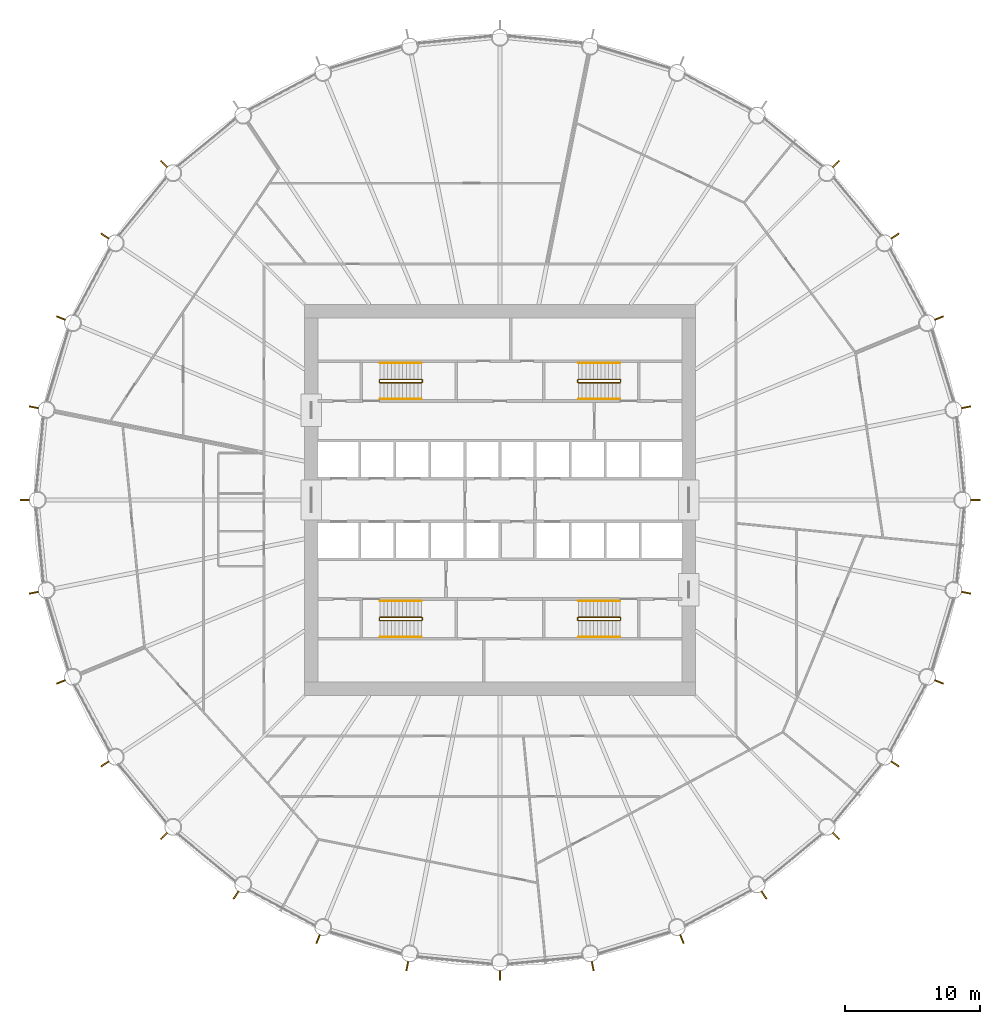
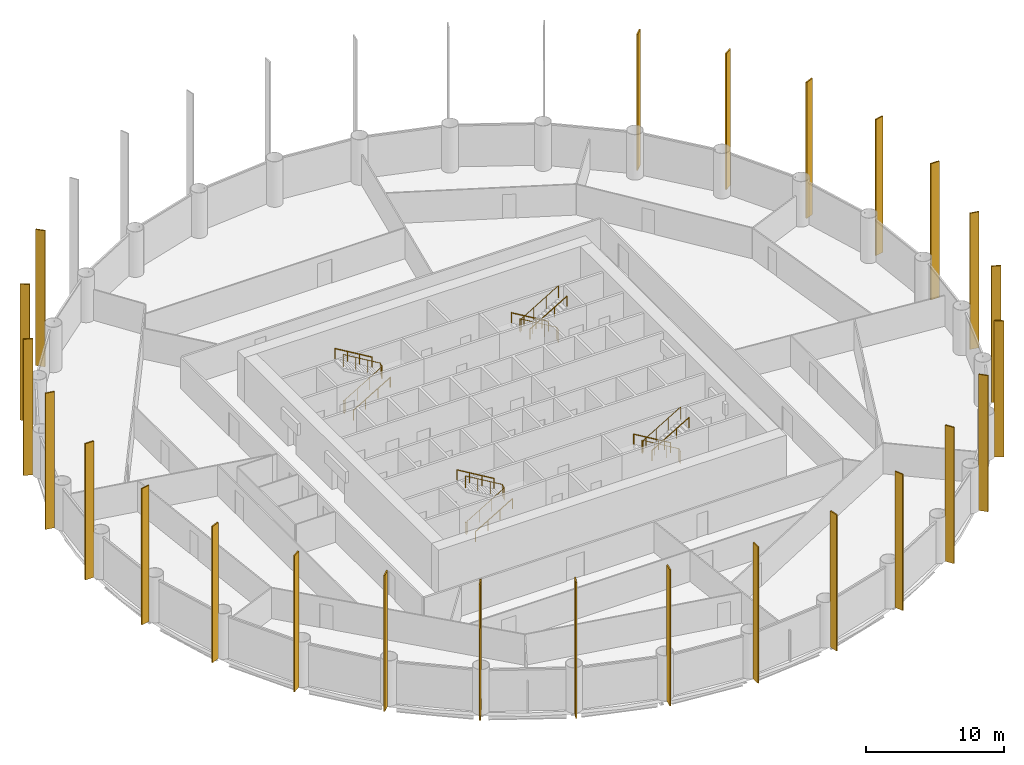
# One storey, part 9 of 10: 25 shading devices, 12 railings.
"""IFC4 building model written with IfcOpenShell, lengths in metres."""

from ifc_helpers import new_model, si_unit, direction, frame, origin, origin_2d, place, context, subcontext, project, spatial, rectangle, circle, extrude, material, material_profile, profile_set, type_object, element, save


model = new_model("IFC4")

# Units and contexts
model_context = context("Model", 3, precision=1e-05, world=origin(), true_north=direction((0.0, 1.0)))
body_context = subcontext(model_context, "Body", "Model", "MODEL_VIEW")
ifc_project = project(units=[si_unit("LENGTHUNIT", "METRE"), si_unit("AREAUNIT", "SQUARE_METRE"), si_unit("VOLUMEUNIT", "CUBIC_METRE"), si_unit("PLANEANGLEUNIT", "RADIAN"), si_unit("MASSUNIT", "GRAM", prefix="KILO")], contexts=[model_context])

# Site, building, storey
site_placement = place(None, origin())
site = spatial("IfcSite", under=ifc_project, at=site_placement, CompositionType="ELEMENT")
building_placement = place(site_placement, origin())
building = spatial("IfcBuilding", under=site, at=building_placement, Name="Corvane Civic Tower", CompositionType="ELEMENT")
storey_placement = place(building_placement, frame((0.0, 0.0, 106.5)))
storey = spatial("IfcBuildingStorey", under=building, at=storey_placement, Name="L24", CompositionType="ELEMENT", Elevation=106.5)

# Railings
ifc_material_1 = material(Name="Steel ASTM A572 Gr 50", Category="steel")
railing_type_1 = type_object("IfcRailingType", Name="ST-GUARD-1100", PredefinedType="GUARDRAIL", material=ifc_material_1)
railing_1_placement = place(storey_placement, frame((8.949951171875, 8.75, 0.0)))
element("IfcRailing", 1, at=railing_1_placement, inside=storey, type_object=railing_type_1, Name="L24 ST1 stair guard 1", PredefinedType="GUARDRAIL", context=body_context, shape_type="SweptSolid", body=[
    extrude(circle(Radius=0.02392578125, at=origin_2d()), frame((0.0, 0.0, 1.076171875), z_axis=(0.0, 1.0, 0.0), x_axis=(-1.0, 0.0, 0.0)), (0.0, 0.0, 1.0), 0.14990234375),
    extrude(circle(Radius=0.02392578125, at=origin_2d()), frame((0.0, 0.14990234375, 1.076171875), z_axis=(-0.27628659633, 0.27628659633, 0.920506074601), x_axis=(-0.707106781187, -0.707106781187, 0.0)), (0.0, 0.0, 1.0), 0.18115234375),
    extrude(circle(Radius=0.02392578125, at=origin_2d()), frame((-0.050048828125, 0.199951171875, 1.24267578125), z_axis=(-0.859290745958, 0.0, 0.51148745235), x_axis=(0.0, -1.0, 0.0)), (0.0, 0.0, 1.0), 3.584228515625),
    extrude(circle(Radius=0.02392578125, at=origin_2d()), frame((-3.1298828125, 0.199951171875, 3.076171875), z_axis=(-0.707106781187, -0.707106781187, 0.0), x_axis=(0.707106781187, -0.707106781187, 0.0)), (0.0, 0.0, 1.0), 0.07080078125),
    extrude(circle(Radius=0.02392578125, at=origin_2d()), frame((-3.179931640625, 0.14990234375, 3.076171875), z_axis=(0.0, -1.0, 0.0), x_axis=(1.0, 0.0, 0.0)), (0.0, 0.0, 1.0), 0.14990234375),
    extrude(circle(Radius=0.02392578125, at=origin_2d()), frame((-3.179931640625, 0.0, 3.076171875), z_axis=(0.27628659633, -0.27628659633, 0.920506074601), x_axis=(0.707106781187, 0.707106781187, 0.0)), (0.0, 0.0, 1.0), 0.18115234375),
    extrude(circle(Radius=0.02392578125, at=origin_2d()), frame((-3.1298828125, -0.050048828125, 3.24267578125), z_axis=(0.859290745958, 0.0, 0.51148745235), x_axis=(0.0, 1.0, 0.0)), (0.0, 0.0, 1.0), 3.584228515625),
    extrude(circle(Radius=0.02099609375, at=origin_2d()), origin(), (0.0, 0.0, 1.0), 1.052001953125),
    extrude(circle(Radius=0.02099609375, at=origin_2d()), frame((0.0, 0.14990234375, 0.0)), (0.0, 0.0, 1.0), 1.052001953125),
    extrude(circle(Radius=0.02099609375, at=origin_2d()), frame((-0.050048828125, 0.199951171875, 0.166748046875)), (0.0, 0.0, 1.0), 1.052001953125),
    extrude(circle(Radius=0.02099609375, at=origin_2d()), frame((-1.07666015625, 0.199951171875, 0.77783203125)), (0.0, 0.0, 1.0), 1.052001953125),
    extrude(circle(Radius=0.02099609375, at=origin_2d()), frame((-2.103271484375, 0.199951171875, 1.388916015625)), (0.0, 0.0, 1.0), 1.052001953125),
    extrude(circle(Radius=0.02099609375, at=origin_2d()), frame((-3.1298828125, 0.199951171875, 2.0)), (0.0, 0.0, 1.0), 1.052001953125),
    extrude(circle(Radius=0.02099609375, at=origin_2d()), frame((-3.179931640625, 0.14990234375, 2.0)), (0.0, 0.0, 1.0), 1.052001953125),
    extrude(circle(Radius=0.02099609375, at=origin_2d()), frame((-3.179931640625, 0.0, 2.0)), (0.0, 0.0, 1.0), 1.052001953125),
    extrude(circle(Radius=0.02099609375, at=origin_2d()), frame((-3.1298828125, -0.050048828125, 2.166748046875)), (0.0, 0.0, 1.0), 1.052001953125),
    extrude(circle(Radius=0.02099609375, at=origin_2d()), frame((-2.103271484375, -0.050048828125, 2.77783203125)), (0.0, 0.0, 1.0), 1.052001953125),
    extrude(circle(Radius=0.02099609375, at=origin_2d()), frame((-1.07666015625, -0.050048828125, 3.388916015625)), (0.0, 0.0, 1.0), 1.052001953125),
    extrude(circle(Radius=0.02099609375, at=origin_2d()), frame((-0.050048828125, -0.050048828125, 4.0)), (0.0, 0.0, 1.0), 1.052001953125),
])
railing_2_placement = place(storey_placement, frame((8.949951171875, -8.89990234375, 0.0)))
element("IfcRailing", 2, at=railing_2_placement, inside=storey, type_object=railing_type_1, Name="L24 ST2 stair guard 1", PredefinedType="GUARDRAIL", context=body_context, shape_type="SweptSolid", body=[
    extrude(circle(Radius=0.02392578125, at=origin_2d()), frame((0.0, 0.0, 1.076171875), z_axis=(0.0, 1.0, 0.0), x_axis=(-1.0, 0.0, 0.0)), (0.0, 0.0, 1.0), 0.14990234375),
    extrude(circle(Radius=0.02392578125, at=origin_2d()), frame((0.0, 0.14990234375, 1.076171875), z_axis=(-0.27628659633, 0.27628659633, 0.920506074601), x_axis=(-0.707106781187, -0.707106781187, 0.0)), (0.0, 0.0, 1.0), 0.18115234375),
    extrude(circle(Radius=0.02392578125, at=origin_2d()), frame((-0.050048828125, 0.199951171875, 1.24267578125), z_axis=(-0.859290745958, 0.0, 0.51148745235), x_axis=(0.0, -1.0, 0.0)), (0.0, 0.0, 1.0), 3.584228515625),
    extrude(circle(Radius=0.02392578125, at=origin_2d()), frame((-3.1298828125, 0.199951171875, 3.076171875), z_axis=(-0.707106781187, -0.707106781187, 0.0), x_axis=(0.707106781187, -0.707106781187, 0.0)), (0.0, 0.0, 1.0), 0.07080078125),
    extrude(circle(Radius=0.02392578125, at=origin_2d()), frame((-3.179931640625, 0.14990234375, 3.076171875), z_axis=(0.0, -1.0, 0.0), x_axis=(1.0, 0.0, 0.0)), (0.0, 0.0, 1.0), 0.14990234375),
    extrude(circle(Radius=0.02392578125, at=origin_2d()), frame((-3.179931640625, 0.0, 3.076171875), z_axis=(0.27628659633, -0.27628659633, 0.920506074601), x_axis=(0.707106781187, 0.707106781187, 0.0)), (0.0, 0.0, 1.0), 0.18115234375),
    extrude(circle(Radius=0.02392578125, at=origin_2d()), frame((-3.1298828125, -0.050048828125, 3.24267578125), z_axis=(0.859290745958, 0.0, 0.51148745235), x_axis=(0.0, 1.0, 0.0)), (0.0, 0.0, 1.0), 3.584228515625),
    extrude(circle(Radius=0.02099609375, at=origin_2d()), origin(), (0.0, 0.0, 1.0), 1.052001953125),
    extrude(circle(Radius=0.02099609375, at=origin_2d()), frame((0.0, 0.14990234375, 0.0)), (0.0, 0.0, 1.0), 1.052001953125),
    extrude(circle(Radius=0.02099609375, at=origin_2d()), frame((-0.050048828125, 0.199951171875, 0.166748046875)), (0.0, 0.0, 1.0), 1.052001953125),
    extrude(circle(Radius=0.02099609375, at=origin_2d()), frame((-1.07666015625, 0.199951171875, 0.77783203125)), (0.0, 0.0, 1.0), 1.052001953125),
    extrude(circle(Radius=0.02099609375, at=origin_2d()), frame((-2.103271484375, 0.199951171875, 1.388916015625)), (0.0, 0.0, 1.0), 1.052001953125),
    extrude(circle(Radius=0.02099609375, at=origin_2d()), frame((-3.1298828125, 0.199951171875, 2.0)), (0.0, 0.0, 1.0), 1.052001953125),
    extrude(circle(Radius=0.02099609375, at=origin_2d()), frame((-3.179931640625, 0.14990234375, 2.0)), (0.0, 0.0, 1.0), 1.052001953125),
    extrude(circle(Radius=0.02099609375, at=origin_2d()), frame((-3.179931640625, 0.0, 2.0)), (0.0, 0.0, 1.0), 1.052001953125),
    extrude(circle(Radius=0.02099609375, at=origin_2d()), frame((-3.1298828125, -0.050048828125, 2.166748046875)), (0.0, 0.0, 1.0), 1.052001953125),
    extrude(circle(Radius=0.02099609375, at=origin_2d()), frame((-2.103271484375, -0.050048828125, 2.77783203125)), (0.0, 0.0, 1.0), 1.052001953125),
    extrude(circle(Radius=0.02099609375, at=origin_2d()), frame((-1.07666015625, -0.050048828125, 3.388916015625)), (0.0, 0.0, 1.0), 1.052001953125),
    extrude(circle(Radius=0.02099609375, at=origin_2d()), frame((-0.050048828125, -0.050048828125, 4.0)), (0.0, 0.0, 1.0), 1.052001953125),
])
railing_3_placement = place(storey_placement, frame((-8.949951171875, -8.75, 0.0)))
element("IfcRailing", 3, at=railing_3_placement, inside=storey, type_object=railing_type_1, Name="L24 ST3 stair guard 1", PredefinedType="GUARDRAIL", context=body_context, shape_type="SweptSolid", body=[
    extrude(circle(Radius=0.02392578125, at=origin_2d()), frame((0.0, 0.0, 1.076171875), z_axis=(0.0, -1.0, 0.0), x_axis=(1.0, 0.0, 0.0)), (0.0, 0.0, 1.0), 0.14990234375),
    extrude(circle(Radius=0.02392578125, at=origin_2d()), frame((0.0, -0.14990234375, 1.076171875), z_axis=(0.27628659633, -0.27628659633, 0.920506074601), x_axis=(0.707106781187, 0.707106781187, 0.0)), (0.0, 0.0, 1.0), 0.18115234375),
    extrude(circle(Radius=0.02392578125, at=origin_2d()), frame((0.050048828125, -0.199951171875, 1.24267578125), z_axis=(0.859290745958, 0.0, 0.51148745235), x_axis=(0.0, 1.0, 0.0)), (0.0, 0.0, 1.0), 3.584228515625),
    extrude(circle(Radius=0.02392578125, at=origin_2d()), frame((3.1298828125, -0.199951171875, 3.076171875), z_axis=(0.707106781187, 0.707106781187, 0.0), x_axis=(-0.707106781187, 0.707106781187, 0.0)), (0.0, 0.0, 1.0), 0.07080078125),
    extrude(circle(Radius=0.02392578125, at=origin_2d()), frame((3.179931640625, -0.14990234375, 3.076171875), z_axis=(0.0, 1.0, 0.0), x_axis=(-1.0, 0.0, 0.0)), (0.0, 0.0, 1.0), 0.14990234375),
    extrude(circle(Radius=0.02392578125, at=origin_2d()), frame((3.179931640625, 0.0, 3.076171875), z_axis=(-0.27628659633, 0.27628659633, 0.920506074601), x_axis=(-0.707106781187, -0.707106781187, 0.0)), (0.0, 0.0, 1.0), 0.18115234375),
    extrude(circle(Radius=0.02392578125, at=origin_2d()), frame((3.1298828125, 0.050048828125, 3.24267578125), z_axis=(-0.859290745958, 0.0, 0.51148745235), x_axis=(0.0, -1.0, 0.0)), (0.0, 0.0, 1.0), 3.584228515625),
    extrude(circle(Radius=0.02099609375, at=origin_2d()), origin(), (0.0, 0.0, 1.0), 1.052001953125),
    extrude(circle(Radius=0.02099609375, at=origin_2d()), frame((0.0, -0.14990234375, 0.0)), (0.0, 0.0, 1.0), 1.052001953125),
    extrude(circle(Radius=0.02099609375, at=origin_2d()), frame((0.050048828125, -0.199951171875, 0.166748046875)), (0.0, 0.0, 1.0), 1.052001953125),
    extrude(circle(Radius=0.02099609375, at=origin_2d()), frame((1.07666015625, -0.199951171875, 0.77783203125)), (0.0, 0.0, 1.0), 1.052001953125),
    extrude(circle(Radius=0.02099609375, at=origin_2d()), frame((2.103271484375, -0.199951171875, 1.388916015625)), (0.0, 0.0, 1.0), 1.052001953125),
    extrude(circle(Radius=0.02099609375, at=origin_2d()), frame((3.1298828125, -0.199951171875, 2.0)), (0.0, 0.0, 1.0), 1.052001953125),
    extrude(circle(Radius=0.02099609375, at=origin_2d()), frame((3.179931640625, -0.14990234375, 2.0)), (0.0, 0.0, 1.0), 1.052001953125),
    extrude(circle(Radius=0.02099609375, at=origin_2d()), frame((3.179931640625, 0.0, 2.0)), (0.0, 0.0, 1.0), 1.052001953125),
    extrude(circle(Radius=0.02099609375, at=origin_2d()), frame((3.1298828125, 0.050048828125, 2.166748046875)), (0.0, 0.0, 1.0), 1.052001953125),
    extrude(circle(Radius=0.02099609375, at=origin_2d()), frame((2.103271484375, 0.050048828125, 2.77783203125)), (0.0, 0.0, 1.0), 1.052001953125),
    extrude(circle(Radius=0.02099609375, at=origin_2d()), frame((1.07666015625, 0.050048828125, 3.388916015625)), (0.0, 0.0, 1.0), 1.052001953125),
    extrude(circle(Radius=0.02099609375, at=origin_2d()), frame((0.050048828125, 0.050048828125, 4.0)), (0.0, 0.0, 1.0), 1.052001953125),
])
railing_4_placement = place(storey_placement, frame((-8.949951171875, 8.89990234375, 0.0)))
element("IfcRailing", 4, at=railing_4_placement, inside=storey, type_object=railing_type_1, Name="L24 ST4 stair guard 1", PredefinedType="GUARDRAIL", context=body_context, shape_type="SweptSolid", body=[
    extrude(circle(Radius=0.02392578125, at=origin_2d()), frame((0.0, 0.0, 1.076171875), z_axis=(0.0, -1.0, 0.0), x_axis=(1.0, 0.0, 0.0)), (0.0, 0.0, 1.0), 0.14990234375),
    extrude(circle(Radius=0.02392578125, at=origin_2d()), frame((0.0, -0.14990234375, 1.076171875), z_axis=(0.27628659633, -0.27628659633, 0.920506074601), x_axis=(0.707106781187, 0.707106781187, 0.0)), (0.0, 0.0, 1.0), 0.18115234375),
    extrude(circle(Radius=0.02392578125, at=origin_2d()), frame((0.050048828125, -0.199951171875, 1.24267578125), z_axis=(0.859290745958, 0.0, 0.51148745235), x_axis=(0.0, 1.0, 0.0)), (0.0, 0.0, 1.0), 3.584228515625),
    extrude(circle(Radius=0.02392578125, at=origin_2d()), frame((3.1298828125, -0.199951171875, 3.076171875), z_axis=(0.707106781187, 0.707106781187, 0.0), x_axis=(-0.707106781187, 0.707106781187, 0.0)), (0.0, 0.0, 1.0), 0.07080078125),
    extrude(circle(Radius=0.02392578125, at=origin_2d()), frame((3.179931640625, -0.14990234375, 3.076171875), z_axis=(0.0, 1.0, 0.0), x_axis=(-1.0, 0.0, 0.0)), (0.0, 0.0, 1.0), 0.14990234375),
    extrude(circle(Radius=0.02392578125, at=origin_2d()), frame((3.179931640625, 0.0, 3.076171875), z_axis=(-0.27628659633, 0.27628659633, 0.920506074601), x_axis=(-0.707106781187, -0.707106781187, 0.0)), (0.0, 0.0, 1.0), 0.18115234375),
    extrude(circle(Radius=0.02392578125, at=origin_2d()), frame((3.1298828125, 0.050048828125, 3.24267578125), z_axis=(-0.859290745958, 0.0, 0.51148745235), x_axis=(0.0, -1.0, 0.0)), (0.0, 0.0, 1.0), 3.584228515625),
    extrude(circle(Radius=0.02099609375, at=origin_2d()), origin(), (0.0, 0.0, 1.0), 1.052001953125),
    extrude(circle(Radius=0.02099609375, at=origin_2d()), frame((0.0, -0.14990234375, 0.0)), (0.0, 0.0, 1.0), 1.052001953125),
    extrude(circle(Radius=0.02099609375, at=origin_2d()), frame((0.050048828125, -0.199951171875, 0.166748046875)), (0.0, 0.0, 1.0), 1.052001953125),
    extrude(circle(Radius=0.02099609375, at=origin_2d()), frame((1.07666015625, -0.199951171875, 0.77783203125)), (0.0, 0.0, 1.0), 1.052001953125),
    extrude(circle(Radius=0.02099609375, at=origin_2d()), frame((2.103271484375, -0.199951171875, 1.388916015625)), (0.0, 0.0, 1.0), 1.052001953125),
    extrude(circle(Radius=0.02099609375, at=origin_2d()), frame((3.1298828125, -0.199951171875, 2.0)), (0.0, 0.0, 1.0), 1.052001953125),
    extrude(circle(Radius=0.02099609375, at=origin_2d()), frame((3.179931640625, -0.14990234375, 2.0)), (0.0, 0.0, 1.0), 1.052001953125),
    extrude(circle(Radius=0.02099609375, at=origin_2d()), frame((3.179931640625, 0.0, 2.0)), (0.0, 0.0, 1.0), 1.052001953125),
    extrude(circle(Radius=0.02099609375, at=origin_2d()), frame((3.1298828125, 0.050048828125, 2.166748046875)), (0.0, 0.0, 1.0), 1.052001953125),
    extrude(circle(Radius=0.02099609375, at=origin_2d()), frame((2.103271484375, 0.050048828125, 2.77783203125)), (0.0, 0.0, 1.0), 1.052001953125),
    extrude(circle(Radius=0.02099609375, at=origin_2d()), frame((1.07666015625, 0.050048828125, 3.388916015625)), (0.0, 0.0, 1.0), 1.052001953125),
    extrude(circle(Radius=0.02099609375, at=origin_2d()), frame((0.050048828125, 0.050048828125, 4.0)), (0.0, 0.0, 1.0), 1.052001953125),
])
ifc_material_2 = material(Name="Steel ASTM A572 Gr 50", Category="steel")
railing_type_2 = type_object("IfcRailingType", Name="ST-HANDRAIL-900", PredefinedType="HANDRAIL", material=ifc_material_2)
railing_5_placement = place(storey_placement, frame((8.89990234375, 10.14990234375, 0.166748046875)))
element("IfcRailing", 5, at=railing_5_placement, inside=storey, type_object=railing_type_2, Name="L24 ST1 stair handrail 1", PredefinedType="HANDRAIL", context=body_context, shape_type="SweptSolid", body=[
    extrude(circle(Radius=0.02392578125, at=origin_2d()), frame((0.0, 0.0, 0.8759765625), z_axis=(-0.859290745958, 0.0, 0.51148745235), x_axis=(0.0, -1.0, 0.0)), (0.0, 0.0, 1.0), 3.584228515625),
    extrude(circle(Radius=0.02099609375, at=origin_2d()), origin(), (0.0, 0.0, 1.0), 0.851806640625),
    extrude(circle(Radius=0.02099609375, at=origin_2d()), frame((-1.026611328125, 0.0, 0.611083984375)), (0.0, 0.0, 1.0), 0.851806640625),
    extrude(circle(Radius=0.02099609375, at=origin_2d()), frame((-2.05322265625, 0.0, 1.22216796875)), (0.0, 0.0, 1.0), 0.851806640625),
    extrude(circle(Radius=0.02099609375, at=origin_2d()), frame((-3.079833984375, 0.0, 1.833251953125)), (0.0, 0.0, 1.0), 0.851806640625),
])
railing_6_placement = place(storey_placement, frame((5.820068359375, 7.5, 2.166748046875)))
element("IfcRailing", 6, at=railing_6_placement, inside=storey, type_object=railing_type_2, Name="L24 ST1 stair handrail 2", PredefinedType="HANDRAIL", context=body_context, shape_type="SweptSolid", body=[
    extrude(circle(Radius=0.02392578125, at=origin_2d()), frame((0.0, 0.0, 0.8759765625), z_axis=(0.859290745958, 0.0, 0.51148745235), x_axis=(0.0, 1.0, 0.0)), (0.0, 0.0, 1.0), 3.584228515625),
    extrude(circle(Radius=0.02099609375, at=origin_2d()), origin(), (0.0, 0.0, 1.0), 0.851806640625),
    extrude(circle(Radius=0.02099609375, at=origin_2d()), frame((1.026611328125, 0.0, 0.611083984375)), (0.0, 0.0, 1.0), 0.851806640625),
    extrude(circle(Radius=0.02099609375, at=origin_2d()), frame((2.05322265625, 0.0, 1.22216796875)), (0.0, 0.0, 1.0), 0.851806640625),
    extrude(circle(Radius=0.02099609375, at=origin_2d()), frame((3.079833984375, 0.0, 1.833251953125)), (0.0, 0.0, 1.0), 0.851806640625),
])
railing_7_placement = place(storey_placement, frame((8.89990234375, -7.5, 0.166748046875)))
element("IfcRailing", 7, at=railing_7_placement, inside=storey, type_object=railing_type_2, Name="L24 ST2 stair handrail 1", PredefinedType="HANDRAIL", context=body_context, shape_type="SweptSolid", body=[
    extrude(circle(Radius=0.02392578125, at=origin_2d()), frame((0.0, 0.0, 0.8759765625), z_axis=(-0.859290745958, 0.0, 0.51148745235), x_axis=(0.0, -1.0, 0.0)), (0.0, 0.0, 1.0), 3.584228515625),
    extrude(circle(Radius=0.02099609375, at=origin_2d()), origin(), (0.0, 0.0, 1.0), 0.851806640625),
    extrude(circle(Radius=0.02099609375, at=origin_2d()), frame((-1.026611328125, 0.0, 0.611083984375)), (0.0, 0.0, 1.0), 0.851806640625),
    extrude(circle(Radius=0.02099609375, at=origin_2d()), frame((-2.05322265625, 0.0, 1.22216796875)), (0.0, 0.0, 1.0), 0.851806640625),
    extrude(circle(Radius=0.02099609375, at=origin_2d()), frame((-3.079833984375, 0.0, 1.833251953125)), (0.0, 0.0, 1.0), 0.851806640625),
])
for number, where, name in (
    (8, (5.820068359375, -10.14990234375, 2.166748046875), "L24 ST2 stair handrail 2"),
    (9, (-8.89990234375, -10.14990234375, 0.166748046875), "L24 ST3 stair handrail 1"),
):
    element("IfcRailing", number, at=place(storey_placement, frame(where)), inside=storey, type_object=railing_type_2, Name=name, PredefinedType="HANDRAIL", context=body_context, shape_type="SweptSolid", body=[
        extrude(circle(Radius=0.02392578125, at=origin_2d()), frame((0.0, 0.0, 0.8759765625), z_axis=(0.859290745958, 0.0, 0.51148745235), x_axis=(0.0, 1.0, 0.0)), (0.0, 0.0, 1.0), 3.584228515625),
        extrude(circle(Radius=0.02099609375, at=origin_2d()), origin(), (0.0, 0.0, 1.0), 0.851806640625),
        extrude(circle(Radius=0.02099609375, at=origin_2d()), frame((1.026611328125, 0.0, 0.611083984375)), (0.0, 0.0, 1.0), 0.851806640625),
        extrude(circle(Radius=0.02099609375, at=origin_2d()), frame((2.05322265625, 0.0, 1.22216796875)), (0.0, 0.0, 1.0), 0.851806640625),
        extrude(circle(Radius=0.02099609375, at=origin_2d()), frame((3.079833984375, 0.0, 1.833251953125)), (0.0, 0.0, 1.0), 0.851806640625),
    ])
railing_8_placement = place(storey_placement, frame((-5.820068359375, -7.5, 2.166748046875)))
element("IfcRailing", 10, at=railing_8_placement, inside=storey, type_object=railing_type_2, Name="L24 ST3 stair handrail 2", PredefinedType="HANDRAIL", context=body_context, shape_type="SweptSolid", body=[
    extrude(circle(Radius=0.02392578125, at=origin_2d()), frame((0.0, 0.0, 0.8759765625), z_axis=(-0.859290745958, 0.0, 0.51148745235), x_axis=(0.0, -1.0, 0.0)), (0.0, 0.0, 1.0), 3.584228515625),
    extrude(circle(Radius=0.02099609375, at=origin_2d()), origin(), (0.0, 0.0, 1.0), 0.851806640625),
    extrude(circle(Radius=0.02099609375, at=origin_2d()), frame((-1.026611328125, 0.0, 0.611083984375)), (0.0, 0.0, 1.0), 0.851806640625),
    extrude(circle(Radius=0.02099609375, at=origin_2d()), frame((-2.05322265625, 0.0, 1.22216796875)), (0.0, 0.0, 1.0), 0.851806640625),
    extrude(circle(Radius=0.02099609375, at=origin_2d()), frame((-3.079833984375, 0.0, 1.833251953125)), (0.0, 0.0, 1.0), 0.851806640625),
])
railing_9_placement = place(storey_placement, frame((-8.89990234375, 7.5, 0.166748046875)))
element("IfcRailing", 11, at=railing_9_placement, inside=storey, type_object=railing_type_2, Name="L24 ST4 stair handrail 1", PredefinedType="HANDRAIL", context=body_context, shape_type="SweptSolid", body=[
    extrude(circle(Radius=0.02392578125, at=origin_2d()), frame((0.0, 0.0, 0.8759765625), z_axis=(0.859290745958, 0.0, 0.51148745235), x_axis=(0.0, 1.0, 0.0)), (0.0, 0.0, 1.0), 3.584228515625),
    extrude(circle(Radius=0.02099609375, at=origin_2d()), origin(), (0.0, 0.0, 1.0), 0.851806640625),
    extrude(circle(Radius=0.02099609375, at=origin_2d()), frame((1.026611328125, 0.0, 0.611083984375)), (0.0, 0.0, 1.0), 0.851806640625),
    extrude(circle(Radius=0.02099609375, at=origin_2d()), frame((2.05322265625, 0.0, 1.22216796875)), (0.0, 0.0, 1.0), 0.851806640625),
    extrude(circle(Radius=0.02099609375, at=origin_2d()), frame((3.079833984375, 0.0, 1.833251953125)), (0.0, 0.0, 1.0), 0.851806640625),
])
railing_10_placement = place(storey_placement, frame((-5.820068359375, 10.14990234375, 2.166748046875)))
element("IfcRailing", 12, at=railing_10_placement, inside=storey, type_object=railing_type_2, Name="L24 ST4 stair handrail 2", PredefinedType="HANDRAIL", context=body_context, shape_type="SweptSolid", body=[
    extrude(circle(Radius=0.02392578125, at=origin_2d()), frame((0.0, 0.0, 0.8759765625), z_axis=(-0.859290745958, 0.0, 0.51148745235), x_axis=(0.0, -1.0, 0.0)), (0.0, 0.0, 1.0), 3.584228515625),
    extrude(circle(Radius=0.02099609375, at=origin_2d()), origin(), (0.0, 0.0, 1.0), 0.851806640625),
    extrude(circle(Radius=0.02099609375, at=origin_2d()), frame((-1.026611328125, 0.0, 0.611083984375)), (0.0, 0.0, 1.0), 0.851806640625),
    extrude(circle(Radius=0.02099609375, at=origin_2d()), frame((-2.05322265625, 0.0, 1.22216796875)), (0.0, 0.0, 1.0), 0.851806640625),
    extrude(circle(Radius=0.02099609375, at=origin_2d()), frame((-3.079833984375, 0.0, 1.833251953125)), (0.0, 0.0, 1.0), 0.851806640625),
])

# Shading devices
ifc_material_3 = material(Name="Anodised aluminium bronze", Category="aluminium")
ifc_material_profile = material_profile(ifc_material_3, rectangle(XDim=0.10009765625, YDim=0.699951171875, at=origin_2d()), Name="TOWER FIN STACK 100x700 BRONZE")
ifc_profile_set = profile_set([ifc_material_profile], Name="Anodised aluminium bronze")
shading_device_type = type_object("IfcShadingDeviceType", Name="TOWER FIN STACK 100x700 BRONZE", PredefinedType="USERDEFINED", material=ifc_profile_set)
for number, where, z_axis, x_axis, name in (
    (13, (24.928955078125, 24.928955078125, 0.0), (0.0, 0.0, 1.0), (0.707106781187, -0.707106781187, 0.0), "Fin 05 L24 to L26"),
    (14, (29.3134765625, 19.586669921875, 0.0), (0.0, 0.0, 1.0), (0.55557023302, -0.831469612303, 0.0), "Fin 06 L24 to L26"),
    (15, (32.5712890625, 13.491455078125, 0.0), (0.0, 0.0, 1.0), (0.382683432365, -0.923879532511, 0.0), "Fin 07 L24 to L26"),
    (16, (34.57763671875, 6.8779296875, 0.0), (0.0, 0.0, 1.0), (0.195090322016, -0.980785280403, 0.0), "Fin 08 L24 to L26"),
    (17, (35.2548828125, 0.0, 0.0), (0.0, 0.0, 1.0), (0.0, -1.0, 0.0), "Fin 09 L24 to L26"),
    (18, (34.57763671875, -6.8779296875, 0.0), (0.0, 0.0, 1.0), (-0.195090322016, -0.980785280403, 0.0), "Fin 10 L24 to L26"),
    (19, (32.5712890625, -13.491455078125, 0.0), (0.0, 0.0, 1.0), (-0.382683432365, -0.923879532511, 0.0), "Fin 11 L24 to L26"),
    (20, (29.3134765625, -19.586669921875, 0.0), (0.0, 0.0, 1.0), (-0.55557023302, -0.831469612303, 0.0), "Fin 12 L24 to L26"),
    (21, (24.928955078125, -24.928955078125, 0.0), (0.0, 0.0, 1.0), (-0.707106781187, -0.707106781187, 0.0), "Fin 13 L24 to L26"),
    (22, (19.586669921875, -29.3134765625, 0.0), (0.0, 0.0, 1.0), (-0.831469612303, -0.55557023302, 0.0), "Fin 14 L24 to L26"),
    (23, (13.491455078125, -32.5712890625, 0.0), (0.0, 0.0, 1.0), (-0.923879532511, -0.382683432365, 0.0), "Fin 15 L24 to L26"),
    (24, (6.8779296875, -34.57763671875, 0.0), (0.0, 0.0, 1.0), (-0.980785280403, -0.195090322016, 0.0), "Fin 16 L24 to L26"),
    (25, (0.0, -35.2548828125, 0.0), (0.0, 0.0, 1.0), (-1.0, 0.0, 0.0), "Fin 17 L24 to L26"),
    (26, (-6.8779296875, -34.57763671875, 0.0), (0.0, 0.0, 1.0), (-0.980785280403, 0.195090322016, 0.0), "Fin 18 L24 to L26"),
    (27, (-13.491455078125, -32.5712890625, 0.0), (0.0, 0.0, 1.0), (-0.923879532511, 0.382683432365, 0.0), "Fin 19 L24 to L26"),
    (28, (-19.586669921875, -29.3134765625, 0.0), (0.0, 0.0, 1.0), (-0.831469612303, 0.55557023302, 0.0), "Fin 20 L24 to L26"),
    (29, (-24.928955078125, -24.928955078125, 0.0), (0.0, 0.0, 1.0), (-0.707106781187, 0.707106781187, 0.0), "Fin 21 L24 to L26"),
    (30, (-29.3134765625, -19.586669921875, 0.0), (0.0, 0.0, 1.0), (-0.55557023302, 0.831469612303, 0.0), "Fin 22 L24 to L26"),
    (31, (-32.5712890625, -13.491455078125, 0.0), (0.0, 0.0, 1.0), (-0.382683432365, 0.923879532511, 0.0), "Fin 23 L24 to L26"),
    (32, (-34.57763671875, -6.8779296875, 0.0), (0.0, 0.0, 1.0), (-0.195090322016, 0.980785280403, 0.0), "Fin 24 L24 to L26"),
    (33, (-35.2548828125, 0.0, 0.0), (0.0, 0.0, 1.0), (0.0, 1.0, 0.0), "Fin 25 L24 to L26"),
    (34, (-34.57763671875, 6.8779296875, 0.0), (0.0, 0.0, 1.0), (0.195090322016, 0.980785280403, 0.0), "Fin 26 L24 to L26"),
    (35, (-32.5712890625, 13.491455078125, 0.0), (0.0, 0.0, 1.0), (0.382683432365, 0.923879532511, 0.0), "Fin 27 L24 to L26"),
    (36, (-29.3134765625, 19.586669921875, 0.0), (0.0, 0.0, 1.0), (0.55557023302, 0.831469612303, 0.0), "Fin 28 L24 to L26"),
    (37, (-24.928955078125, 24.928955078125, 0.0), (0.0, 0.0, 1.0), (0.707106781187, 0.707106781187, 0.0), "Fin 29 L24 to L26"),
):
    element("IfcShadingDevice", number, at=place(storey_placement, frame(where, z_axis=z_axis, x_axis=x_axis)), inside=storey, type_object=shading_device_type, Name=name, ObjectType="FIN", PredefinedType="USERDEFINED", context=body_context, shape_type="SweptSolid", body=[
        extrude(rectangle(XDim=0.10009765625, YDim=0.699951171875, at=origin_2d()), origin(), (0.0, 0.0, 1.0), 12.0),
    ])

save(model, "model.ifc")
